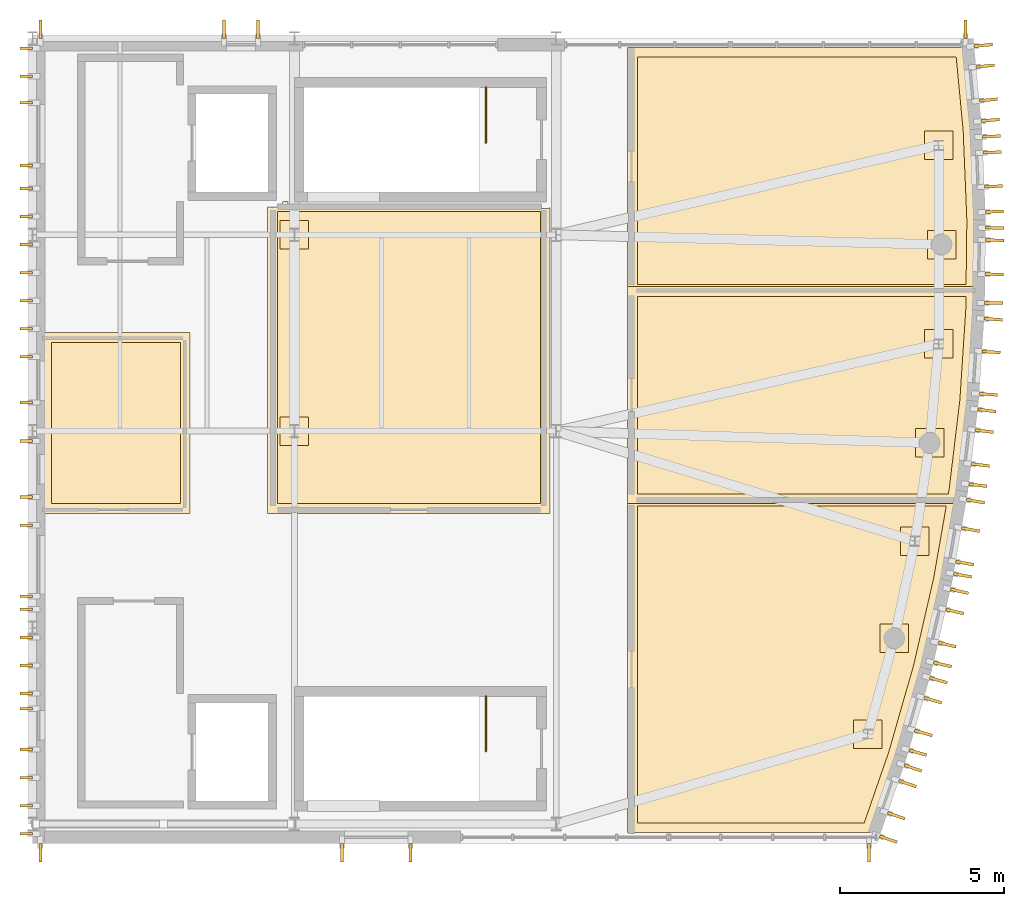
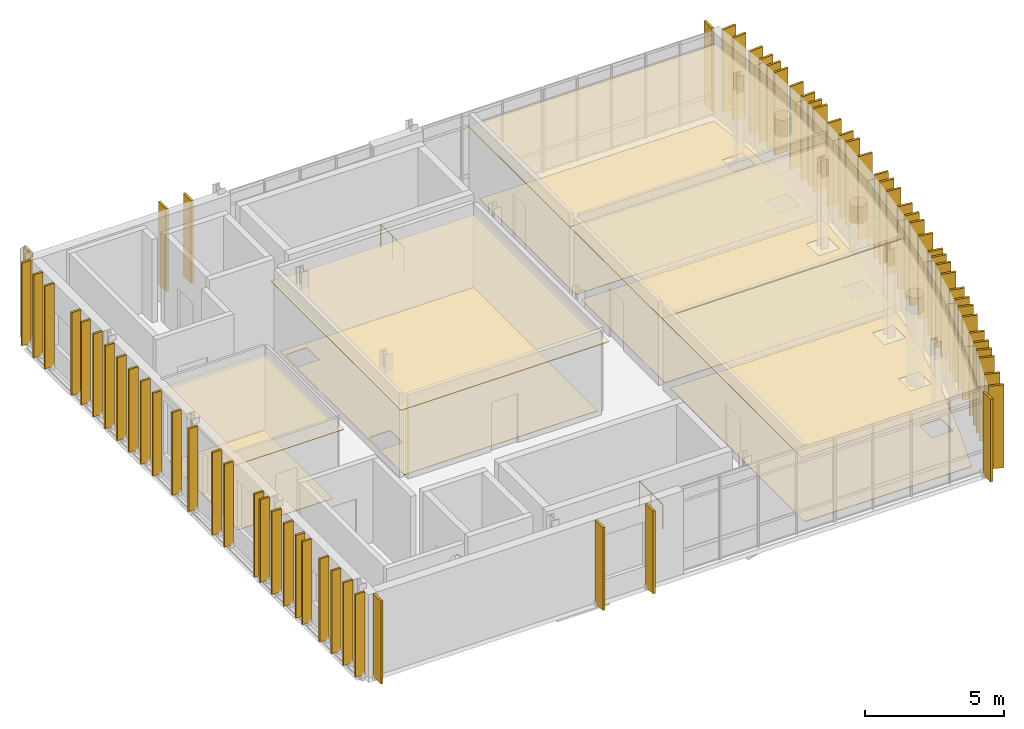
# One storey, part 9 of 9: 78 coverings, 2 railings.
"""IFC4 building model written with IfcOpenShell, lengths in metres."""

from ifc_helpers import new_model, si_unit, direction, frame, origin, origin_2d, place, context, subcontext, project, spatial, polyline, rectangle, circle, outline, extrude, material, layer, layer_set, type_object, element, save


model = new_model("IFC4")

# Units and contexts
model_context = context("Model", 3, precision=1e-05, world=origin(), true_north=direction((0.0, 1.0)))
body_context = subcontext(model_context, "Body", "Model", "MODEL_VIEW")
ifc_project = project(units=[si_unit("LENGTHUNIT", "METRE"), si_unit("AREAUNIT", "SQUARE_METRE"), si_unit("VOLUMEUNIT", "CUBIC_METRE"), si_unit("PLANEANGLEUNIT", "RADIAN"), si_unit("MASSUNIT", "GRAM", prefix="KILO")], contexts=[model_context])

# Site, building, storey
site_placement = place(None, origin())
site = spatial("IfcSite", under=ifc_project, at=site_placement, CompositionType="ELEMENT")
building_placement = place(site_placement, origin())
building = spatial("IfcBuilding", under=site, at=building_placement, Name="Cymarion Research Institute", CompositionType="ELEMENT")
storey_placement = place(building_placement, frame((0.0, 0.0, 42.300048828125)))
storey = spatial("IfcBuildingStorey", under=building, at=storey_placement, Name="L10", CompositionType="ELEMENT", Elevation=42.300048828125)

# Coverings
ifc_material_1 = material(Name="Micro-perforated mineral acoustic ceiling tile", Category="gypsum")
ifc_layer_1 = layer(ifc_material_1, 0.030029296875)
ifc_layer_set_1 = layer_set([ifc_layer_1], Name="Micro-perforated mineral acoustic ceiling tile")
covering_type_1 = type_object("IfcCoveringType", Name="ACOUSTIC MICRO-PERFORATED SUSPENDED CEILING CLG-01", PredefinedType="CEILING", material=ifc_layer_set_1)
covering_1_placement = place(storey_placement, frame((0.0, 0.0, 3.10986328125)))
element("IfcCovering", 1, at=covering_1_placement, inside=storey, type_object=covering_type_1, Name="L10 L10 Computational Biology Write-Up Studio acoustic ceiling", PredefinedType="CEILING", context=body_context, shape_type="SweptSolid", body=[
    extrude(outline(polyline([(143.4150390625, 20.514892578125), (143.4150390625, 14.985107421875), (138.885009765625, 14.985107421875), (138.885009765625, 20.514892578125), (143.4150390625, 20.514892578125)])), origin(), (0.0, 0.0, 1.0), 0.030029296875),
])
covering_2_placement = place(storey_placement, frame((0.0, 0.0, 3.10986328125)))
element("IfcCovering", 2, at=covering_2_placement, inside=storey, type_object=covering_type_1, Name="L10 L10 High-Throughput Screening & Cell Culture Lab acoustic ceiling", PredefinedType="CEILING", context=body_context, shape_type="SweptSolid", body=[
    extrude(outline(polyline([(146.39990234375, 24.514892578125), (146.39990234375, 24.5), (146.40087890625, 24.48046875), (146.40380859375, 24.4609375), (146.40869140625, 24.44189453125), (146.415283203125, 24.423583984375), (146.423583984375, 24.40576171875), (146.43359375, 24.388916015625), (146.4453125, 24.373046875), (146.45849609375, 24.358642578125), (146.47314453125, 24.345458984375), (146.489013671875, 24.333740234375), (146.505615234375, 24.323486328125), (146.5234375, 24.315185546875), (146.5419921875, 24.30859375), (146.56103515625, 24.3037109375), (146.580322265625, 24.301025390625), (146.60009765625, 24.300048828125), (154.300048828125, 24.300048828125), (154.319580078125, 24.301025390625), (154.339111328125, 24.3037109375), (154.358154296875, 24.30859375), (154.37646484375, 24.315185546875), (154.394287109375, 24.323486328125), (154.4111328125, 24.333740234375), (154.4150390625, 24.336669921875), (154.4150390625, 14.985107421875), (145.784912109375, 14.985107421875), (145.784912109375, 24.35009765625), (146.050048828125, 24.35009765625), (146.069580078125, 24.35107421875), (146.089111328125, 24.353759765625), (146.108154296875, 24.358642578125), (146.12646484375, 24.365234375), (146.144287109375, 24.37353515625), (146.1611328125, 24.3837890625), (146.177001953125, 24.3955078125), (146.19140625, 24.40869140625), (146.20458984375, 24.423095703125), (146.21630859375, 24.43896484375), (146.226318359375, 24.455810546875), (146.23486328125, 24.473388671875), (146.241455078125, 24.491943359375), (146.24609375, 24.510986328125), (146.246826171875, 24.514892578125), (146.39990234375, 24.514892578125)])), origin(), (0.0, 0.0, 1.0), 0.030029296875),
])
covering_3_placement = place(storey_placement, frame((0.0, 0.0, 3.10986328125)))
element("IfcCovering", 3, at=covering_3_placement, inside=storey, type_object=covering_type_1, Name="L10 L10 Tower Wet Biochemistry & Proteomics Laboratory acoustic ceiling", PredefinedType="CEILING", context=body_context, shape_type="SweptSolid", body=[
    extrude(outline(polyline([(166.873046875, 15.514892578125), (166.427734375, 12.961181640625), (165.808349609375, 10.266845703125), (165.0458984375, 7.609619140625), (164.224853515625, 5.235107421875), (156.784912109375, 5.235107421875), (156.784912109375, 15.514892578125), (166.873046875, 15.514892578125)])), origin(), (0.0, 0.0, 1.0), 0.030029296875),
])
covering_4_placement = place(storey_placement, frame((0.0, 0.0, 3.10986328125)))
element("IfcCovering", 4, at=covering_4_placement, inside=storey, type_object=covering_type_1, Name="L10 L10 Confocal Microscopy & Genomics Laboratory acoustic ceiling", PredefinedType="CEILING", context=body_context, shape_type="SweptSolid", body=[
    extrude(outline(polyline([(167.421142578125, 21.9150390625), (167.412109375, 21.18798828125), (167.23095703125, 18.429443359375), (166.902587890625, 15.6845703125), (166.8330078125, 15.284912109375), (156.784912109375, 15.284912109375), (156.784912109375, 21.9150390625), (167.421142578125, 21.9150390625)])), origin(), (0.0, 0.0, 1.0), 0.030029296875),
])
covering_5_placement = place(storey_placement, frame((0.0, 0.0, 3.10986328125)))
element("IfcCovering", 5, at=covering_5_placement, inside=storey, type_object=covering_type_1, Name="L10 L10 Tower Staff Restrooms and Accessible Washroom acoustic ceiling", PredefinedType="CEILING", context=body_context, shape_type="SweptSolid", body=[
    extrude(outline(polyline([(167.44580078125, 23.952392578125), (167.418212890625, 21.68505859375), (156.784912109375, 21.68505859375), (156.784912109375, 29.22509765625), (167.093505859375, 29.22509765625), (167.331787109375, 26.714599609375), (167.44580078125, 23.952392578125)])), origin(), (0.0, 0.0, 1.0), 0.030029296875),
])
ifc_material_2 = material(Name="Precast concrete C45/55 architectural white", Category="concrete")
ifc_layer_2 = layer(ifc_material_2, 0.090087890625)
ifc_layer_set_2 = layer_set([ifc_layer_2], Name="Precast concrete C45/55 architectural white")
covering_type_2 = type_object("IfcCoveringType", Name="ARCHITECTURAL WHITE PRECAST CONCRETE VERTICAL FIN FIN1 560MM", PredefinedType="CLADDING", material=ifc_layer_set_2)
for number, where, z_axis, x_axis, name in (
    (6, (138.840087890625, 4.617919921875, 0.009765625), (0.0, 0.0, 1.0), (0.0, -1.0, 0.0), "L10 V1 white precast vertical fin FIN1 #862"),
    (7, (148.055908203125, 4.617919921875, 0.009765625), (0.0, 0.0, 1.0), (0.0, -1.0, 0.0), "L10 V1 white precast vertical fin FIN1 #863"),
    (8, (150.14599609375, 4.617919921875, 0.009765625), (0.0, 0.0, 1.0), (0.0, -1.0, 0.0), "L10 V1 white precast vertical fin FIN1 #864"),
    (9, (164.159912109375, 4.617919921875, 0.009765625), (0.0, 0.0, 1.0), (0.0, -1.0, 0.0), "L10 V1 white precast vertical fin FIN1 #865"),
    (10, (164.744873046875, 5.03466796875, 0.009765625), (0.0, 0.0, 1.0), (0.945120113509, -0.326723080054, 0.0), "L10 V1 white precast vertical fin FIN1 #866"),
    (11, (164.991943359375, 5.748779296875, 0.009765625), (0.0, 0.0, 1.0), (0.945120113509, -0.326723080054, 0.0), "L10 V1 white precast vertical fin FIN1 #867"),
    (12, (165.331787109375, 6.731689453125, 0.009765625), (0.0, 0.0, 1.0), (0.945120113509, -0.326723080054, 0.0), "L10 V1 white precast vertical fin FIN1 #868"),
    (13, (165.496337890625, 7.20751953125, 0.009765625), (0.0, 0.0, 1.0), (0.945120113509, -0.326723080054, 0.0), "L10 V1 white precast vertical fin FIN1 #869"),
    (14, (165.6455078125, 7.679443359375, 0.009765625), (0.0, 0.0, 1.0), (0.961213573504, -0.275805123434, 0.0), "L10 V1 white precast vertical fin FIN1 #870"),
    (15, (165.817626953125, 8.279296875, 0.009765625), (0.0, 0.0, 1.0), (0.961213573504, -0.275805123434, 0.0), "L10 V1 white precast vertical fin FIN1 #871"),
    (16, (166.1044921875, 9.279052734375, 0.009765625), (0.0, 0.0, 1.0), (0.961213573504, -0.275805123434, 0.0), "L10 V1 white precast vertical fin FIN1 #872"),
    (17, (166.27978515625, 9.8896484375, 0.009765625), (0.0, 0.0, 1.0), (0.961213573504, -0.275805123434, 0.0), "L10 V1 white precast vertical fin FIN1 #873"),
    (18, (166.4033203125, 10.368896484375, 0.009765625), (0.0, 0.0, 1.0), (0.974566000575, -0.224100670509, 0.0), "L10 V1 white precast vertical fin FIN1 #874"),
    (19, (166.543212890625, 10.976806640625, 0.009765625), (0.0, 0.0, 1.0), (0.974566000575, -0.224100670509, 0.0), "L10 V1 white precast vertical fin FIN1 #875"),
    (20, (166.776123046875, 11.990478515625, 0.009765625), (0.0, 0.0, 1.0), (0.974566000575, -0.224100670509, 0.0), "L10 V1 white precast vertical fin FIN1 #876"),
    (21, (166.918701171875, 12.609619140625, 0.009765625), (0.0, 0.0, 1.0), (0.974566000575, -0.224100670509, 0.0), "L10 V1 white precast vertical fin FIN1 #877"),
    (22, (167.0166015625, 13.094482421875, 0.009765625), (0.0, 0.0, 1.0), (0.985139318439, -0.171757163649, 0.0), "L10 V1 white precast vertical fin FIN1 #878"),
    (23, (167.08154296875, 13.468017578125, 0.009765625), (0.0, 0.0, 1.0), (0.985139318439, -0.171757163649, 0.0), "L10 V1 white precast vertical fin FIN1 #879"),
    (24, (167.26025390625, 14.492431640625, 0.009765625), (0.0, 0.0, 1.0), (0.985139318439, -0.171757163649, 0.0), "L10 V1 white precast vertical fin FIN1 #880"),
    (25, (167.411376953125, 15.35986328125, 0.009765625), (0.0, 0.0, 1.0), (0.985139318439, -0.171757163649, 0.0), "L10 V1 white precast vertical fin FIN1 #881"),
    (26, (167.483154296875, 15.849365234375, 0.009765625), (0.0, 0.0, 1.0), (0.992924116831, -0.118750571435, 0.0), "L10 V1 white precast vertical fin FIN1 #882"),
    (27, (167.557373046875, 16.468994140625, 0.009765625), (0.0, 0.0, 1.0), (0.992924116831, -0.118750571435, 0.0), "L10 V1 white precast vertical fin FIN1 #883"),
    (28, (167.680908203125, 17.501708984375, 0.009765625), (0.0, 0.0, 1.0), (0.992924116831, -0.118750571435, 0.0), "L10 V1 white precast vertical fin FIN1 #884"),
    (29, (167.75634765625, 18.13232421875, 0.009765625), (0.0, 0.0, 1.0), (0.992924116831, -0.118750571435, 0.0), "L10 V1 white precast vertical fin FIN1 #885"),
    (30, (167.802001953125, 18.625, 0.009765625), (0.0, 0.0, 1.0), (0.997847493041, -0.06557728747, 0.0), "L10 V1 white precast vertical fin FIN1 #886"),
    (31, (167.88720703125, 19.919189453125, 0.009765625), (0.0, 0.0, 1.0), (0.997847493041, -0.06557728747, 0.0), "L10 V1 white precast vertical fin FIN1 #887"),
    (32, (167.952880859375, 20.91943359375, 0.009765625), (0.0, 0.0, 1.0), (0.997847493041, -0.06557728747, 0.0), "L10 V1 white precast vertical fin FIN1 #888"),
    (33, (167.971923828125, 21.413818359375, 0.009765625), (0.0, 0.0, 1.0), (0.99992536966, -0.012217000835, 0.0), "L10 V1 white precast vertical fin FIN1 #889"),
    (34, (167.982666015625, 22.2939453125, 0.009765625), (0.0, 0.0, 1.0), (0.99992536966, -0.012217000835, 0.0), "L10 V1 white precast vertical fin FIN1 #890"),
    (35, (167.995361328125, 23.333740234375, 0.009765625), (0.0, 0.0, 1.0), (0.99992536966, -0.012217000835, 0.0), "L10 V1 white precast vertical fin FIN1 #891"),
    (36, (168.0, 23.712890625, 0.009765625), (0.0, 0.0, 1.0), (0.99992536966, -0.012217000835, 0.0), "L10 V1 white precast vertical fin FIN1 #892"),
    (37, (167.992919921875, 24.207763671875, 0.009765625), (0.0, 0.0, 1.0), (0.999144619181, 0.041352508522, 0.0), "L10 V1 white precast vertical fin FIN1 #893"),
    (38, (167.9609375, 24.978271484375, 0.009765625), (0.0, 0.0, 1.0), (0.999144619181, 0.041352508522, 0.0), "L10 V1 white precast vertical fin FIN1 #894"),
    (39, (167.918212890625, 26.017333984375, 0.009765625), (0.0, 0.0, 1.0), (0.999144619181, 0.041352508522, 0.0), "L10 V1 white precast vertical fin FIN1 #895"),
    (40, (167.89794921875, 26.505126953125, 0.009765625), (0.0, 0.0, 1.0), (0.999144619181, 0.041352508522, 0.0), "L10 V1 white precast vertical fin FIN1 #896"),
    (41, (167.8642578125, 26.998779296875, 0.009765625), (0.0, 0.0, 1.0), (0.995512553138, 0.09462957542, 0.0), "L10 V1 white precast vertical fin FIN1 #897"),
    (42, (167.805419921875, 27.6201171875, 0.009765625), (0.0, 0.0, 1.0), (0.995512553138, 0.09462957542, 0.0), "L10 V1 white precast vertical fin FIN1 #898"),
    (43, (167.70703125, 28.6552734375, 0.009765625), (0.0, 0.0, 1.0), (0.995512553138, 0.09462957542, 0.0), "L10 V1 white precast vertical fin FIN1 #899"),
    (44, (167.64697265625, 29.287841796875, 0.009765625), (0.0, 0.0, 1.0), (0.995512553138, 0.09462957542, 0.0), "L10 V1 white precast vertical fin FIN1 #900"),
    (45, (167.103515625, 29.781982421875, 0.009765625), (0.0, 0.0, 1.0), (0.0, 1.0, 0.0), "L10 V1 white precast vertical fin FIN1 #901"),
    (46, (145.489013671875, 29.781982421875, 0.009765625), (0.0, 0.0, 1.0), (0.0, 1.0, 0.0), "L10 V1 white precast vertical fin FIN1 #902"),
    (47, (144.448974609375, 29.781982421875, 0.009765625), (0.0, 0.0, 1.0), (0.0, 1.0, 0.0), "L10 V1 white precast vertical fin FIN1 #903"),
    (48, (138.840087890625, 29.781982421875, 0.009765625), (0.0, 0.0, 1.0), (0.0, 1.0, 0.0), "L10 V1 white precast vertical fin FIN1 #904"),
):
    element("IfcCovering", number, at=place(storey_placement, frame(where, z_axis=z_axis, x_axis=x_axis)), inside=storey, type_object=covering_type_2, Name=name, PredefinedType="CLADDING", context=body_context, shape_type="SweptSolid", body=[
        extrude(rectangle(XDim=0.56005859375, YDim=0.090087890625, at=origin_2d()), origin(), (0.0, 0.0, 1.0), 3.639892578125),
    ])
ifc_layer_3 = layer(ifc_material_2, 0.0849609375)
ifc_layer_set_3 = layer_set([ifc_layer_3], Name="Precast concrete C45/55 architectural white")
covering_type_3 = type_object("IfcCoveringType", Name="ARCHITECTURAL WHITE PRECAST CONCRETE VERTICAL FIN FIN3 380MM", PredefinedType="CLADDING", material=ifc_layer_set_3)
for number, where, z_axis, x_axis, name in (
    (49, (138.407958984375, 29.199951171875, 0.009765625), (0.0, 0.0, 1.0), (-1.0, 0.0, 0.0), "L10 V1 white precast vertical fin FIN3 #905"),
    (50, (138.407958984375, 28.343017578125, 0.009765625), (0.0, 0.0, 1.0), (-1.0, 0.0, 0.0), "L10 V1 white precast vertical fin FIN3 #906"),
    (51, (138.407958984375, 27.533935546875, 0.009765625), (0.0, 0.0, 1.0), (-1.0, 0.0, 0.0), "L10 V1 white precast vertical fin FIN3 #907"),
    (52, (138.407958984375, 25.614013671875, 0.009765625), (0.0, 0.0, 1.0), (-1.0, 0.0, 0.0), "L10 V1 white precast vertical fin FIN3 #908"),
    (53, (138.407958984375, 24.914306640625, 0.009765625), (0.0, 0.0, 1.0), (-1.0, 0.0, 0.0), "L10 V1 white precast vertical fin FIN3 #909"),
    (54, (138.407958984375, 24.05712890625, 0.009765625), (0.0, 0.0, 1.0), (-1.0, 0.0, 0.0), "L10 V1 white precast vertical fin FIN3 #910"),
    (55, (138.407958984375, 23.199951171875, 0.009765625), (0.0, 0.0, 1.0), (-1.0, 0.0, 0.0), "L10 V1 white precast vertical fin FIN3 #911"),
    (56, (138.407958984375, 22.343017578125, 0.009765625), (0.0, 0.0, 1.0), (-1.0, 0.0, 0.0), "L10 V1 white precast vertical fin FIN3 #912"),
    (57, (138.407958984375, 21.485595703125, 0.009765625), (0.0, 0.0, 1.0), (-1.0, 0.0, 0.0), "L10 V1 white precast vertical fin FIN3 #913"),
    (58, (138.407958984375, 20.628662109375, 0.009765625), (0.0, 0.0, 1.0), (-1.0, 0.0, 0.0), "L10 V1 white precast vertical fin FIN3 #914"),
    (59, (138.407958984375, 19.771484375, 0.009765625), (0.0, 0.0, 1.0), (-1.0, 0.0, 0.0), "L10 V1 white precast vertical fin FIN3 #915"),
    (60, (138.407958984375, 18.3798828125, 0.009765625), (0.0, 0.0, 1.0), (-1.0, 0.0, 0.0), "L10 V1 white precast vertical fin FIN3 #916"),
    (61, (138.407958984375, 17.199951171875, 0.009765625), (0.0, 0.0, 1.0), (-1.0, 0.0, 0.0), "L10 V1 white precast vertical fin FIN3 #917"),
    (62, (138.407958984375, 15.485595703125, 0.009765625), (0.0, 0.0, 1.0), (-1.0, 0.0, 0.0), "L10 V1 white precast vertical fin FIN3 #918"),
    (63, (138.407958984375, 14.628662109375, 0.009765625), (0.0, 0.0, 1.0), (-1.0, 0.0, 0.0), "L10 V1 white precast vertical fin FIN3 #919"),
    (64, (138.407958984375, 12.4599609375, 0.009765625), (0.0, 0.0, 1.0), (-1.0, 0.0, 0.0), "L10 V1 white precast vertical fin FIN3 #920"),
    (65, (138.407958984375, 12.05712890625, 0.009765625), (0.0, 0.0, 1.0), (-1.0, 0.0, 0.0), "L10 V1 white precast vertical fin FIN3 #921"),
    (66, (138.407958984375, 11.199951171875, 0.009765625), (0.0, 0.0, 1.0), (-1.0, 0.0, 0.0), "L10 V1 white precast vertical fin FIN3 #922"),
    (67, (138.407958984375, 10.343017578125, 0.009765625), (0.0, 0.0, 1.0), (-1.0, 0.0, 0.0), "L10 V1 white precast vertical fin FIN3 #923"),
    (68, (138.407958984375, 9.485595703125, 0.009765625), (0.0, 0.0, 1.0), (-1.0, 0.0, 0.0), "L10 V1 white precast vertical fin FIN3 #924"),
    (69, (138.407958984375, 9.02001953125, 0.009765625), (0.0, 0.0, 1.0), (-1.0, 0.0, 0.0), "L10 V1 white precast vertical fin FIN3 #925"),
    (70, (138.407958984375, 7.771484375, 0.009765625), (0.0, 0.0, 1.0), (-1.0, 0.0, 0.0), "L10 V1 white precast vertical fin FIN3 #926"),
    (71, (138.407958984375, 6.914306640625, 0.009765625), (0.0, 0.0, 1.0), (-1.0, 0.0, 0.0), "L10 V1 white precast vertical fin FIN3 #927"),
    (72, (138.407958984375, 6.05712890625, 0.009765625), (0.0, 0.0, 1.0), (-1.0, 0.0, 0.0), "L10 V1 white precast vertical fin FIN3 #928"),
    (73, (138.407958984375, 5.199951171875, 0.009765625), (0.0, 0.0, 1.0), (-1.0, 0.0, 0.0), "L10 V1 white precast vertical fin FIN3 #929"),
):
    element("IfcCovering", number, at=place(storey_placement, frame(where, z_axis=z_axis, x_axis=x_axis)), inside=storey, type_object=covering_type_3, Name=name, PredefinedType="CLADDING", context=body_context, shape_type="SweptSolid", body=[
        extrude(rectangle(XDim=0.3798828125, YDim=0.0849609375, at=origin_2d()), origin(), (0.0, 0.0, 1.0), 3.639892578125),
    ])

# Railings
ifc_material_3 = material(Name="Steel S355", Category="steel")
railing_type = type_object("IfcRailingType", Name="PAINTED STEEL STAIR GUARDRAIL GR1 1100MM", PredefinedType="GUARDRAIL", material=ifc_material_3)
for number, where, name in (
    (74, (152.449951171875, 9.39990234375, 0.0), "L10 ST1 top well guard 1"),
    (75, (152.449951171875, 28.0, 0.0), "L10 ST2 top well guard 1"),
):
    element("IfcRailing", number, at=place(storey_placement, frame(where)), inside=storey, type_object=railing_type, Name=name, PredefinedType="GUARDRAIL", context=body_context, shape_type="SweptSolid", body=[
        extrude(circle(Radius=0.02392578125, at=origin_2d()), frame((0.0, 0.0, 1.076171875), z_axis=(0.0, -1.0, 0.0), x_axis=(1.0, 0.0, 0.0)), (0.0, 0.0, 1.0), 1.679931640625),
        extrude(circle(Radius=0.02099609375, at=origin_2d()), origin(), (0.0, 0.0, 1.0), 1.052001953125),
        extrude(circle(Radius=0.02099609375, at=origin_2d()), frame((0.0, -0.83984375, 0.0)), (0.0, 0.0, 1.0), 1.052001953125),
        extrude(circle(Radius=0.02099609375, at=origin_2d()), frame((0.0, -1.679931640625, 0.0)), (0.0, 0.0, 1.0), 1.052001953125),
    ])

# Coverings
ifc_material_4 = material(Name="Seamless dissipative epoxy resin flooring", Category="resin")
ifc_layer_4 = layer(ifc_material_4, 0.02001953125)
ifc_layer_set_4 = layer_set([ifc_layer_4], Name="Seamless dissipative epoxy resin flooring")
covering_type_4 = type_object("IfcCoveringType", Name="SEAMLESS ESD EPOXY LABORATORY FLOORING FLR-01", PredefinedType="FLOORING", material=ifc_layer_set_4)
covering_6_placement = place(storey_placement, origin())
element("IfcCovering", 76, at=covering_6_placement, inside=storey, type_object=covering_type_4, Name="L10 L10 Computational Biology Write-Up Studio ESD epoxy flooring", PredefinedType="FLOORING", context=body_context, shape_type="SweptSolid", body=[
    extrude(outline(polyline([(139.18505859375, 20.215087890625), (143.114990234375, 20.215087890625), (143.114990234375, 15.284912109375), (139.18505859375, 15.284912109375), (139.18505859375, 20.215087890625)])), origin(), (0.0, 0.0, 1.0), 0.02001953125),
])
covering_7_placement = place(storey_placement, origin())
element("IfcCovering", 77, at=covering_7_placement, inside=storey, type_object=covering_type_4, Name="L10 L10 High-Throughput Screening & Cell Culture Lab ESD epoxy flooring", PredefinedType="FLOORING", context=body_context, shape_type="SweptSolid", body=[
    extrude(outline(polyline([(146.0849609375, 24.215087890625), (154.114990234375, 24.215087890625), (154.114990234375, 15.284912109375), (146.0849609375, 15.284912109375), (146.0849609375, 24.215087890625)]), holes=[polyline([(147.034912109375, 17.06494140625), (147.034912109375, 17.93505859375), (146.1650390625, 17.93505859375), (146.1650390625, 17.06494140625), (147.034912109375, 17.06494140625)]), polyline([(147.034912109375, 23.06494140625), (147.034912109375, 23.93505859375), (146.1650390625, 23.93505859375), (146.1650390625, 23.06494140625), (147.034912109375, 23.06494140625)])]), origin(), (0.0, 0.0, 1.0), 0.02001953125),
])
covering_8_placement = place(storey_placement, origin())
element("IfcCovering", 78, at=covering_8_placement, inside=storey, type_object=covering_type_4, Name="L10 L10 Tower Wet Biochemistry & Proteomics Laboratory ESD epoxy flooring", PredefinedType="FLOORING", context=body_context, shape_type="SweptSolid", body=[
    extrude(outline(polyline([(157.0849609375, 15.215087890625), (166.51611328125, 15.215087890625), (166.1337890625, 13.0205078125), (165.517822265625, 10.341796875), (164.759765625, 7.699951171875), (164.01123046875, 5.534912109375), (157.0849609375, 5.534912109375), (157.0849609375, 15.215087890625)]), holes=[polyline([(165.994873046875, 13.70654296875), (165.994873046875, 14.576416015625), (165.125, 14.576416015625), (165.125, 13.70654296875), (165.994873046875, 13.70654296875)]), polyline([(165.36279296875, 10.73779296875), (165.36279296875, 11.607666015625), (164.492919921875, 11.607666015625), (164.492919921875, 10.73779296875), (165.36279296875, 10.73779296875)]), polyline([(164.553955078125, 7.81201171875), (164.553955078125, 8.681884765625), (163.68408203125, 8.681884765625), (163.68408203125, 7.81201171875), (164.553955078125, 7.81201171875)])]), origin(), (0.0, 0.0, 1.0), 0.02001953125),
])
covering_9_placement = place(storey_placement, origin())
element("IfcCovering", 79, at=covering_9_placement, inside=storey, type_object=covering_type_4, Name="L10 L10 Confocal Microscopy & Genomics Laboratory ESD epoxy flooring", PredefinedType="FLOORING", context=body_context, shape_type="SweptSolid", body=[
    extrude(outline(polyline([(157.0849609375, 21.614990234375), (167.117431640625, 21.614990234375), (167.1123046875, 21.19970703125), (166.93212890625, 18.45703125), (166.605712890625, 15.728271484375), (166.58056640625, 15.5849609375), (157.0849609375, 15.5849609375), (157.0849609375, 21.614990234375)]), holes=[polyline([(166.720458984375, 19.73095703125), (166.720458984375, 20.60107421875), (165.8505859375, 20.60107421875), (165.8505859375, 19.73095703125), (166.720458984375, 19.73095703125)]), polyline([(166.447998046875, 16.707763671875), (166.447998046875, 17.577880859375), (165.577880859375, 17.577880859375), (165.577880859375, 16.707763671875), (166.447998046875, 16.707763671875)])]), origin(), (0.0, 0.0, 1.0), 0.02001953125),
])
covering_10_placement = place(storey_placement, origin())
element("IfcCovering", 80, at=covering_10_placement, inside=storey, type_object=covering_type_4, Name="L10 L10 Tower Staff Restrooms and Accessible Washroom ESD epoxy flooring", PredefinedType="FLOORING", context=body_context, shape_type="SweptSolid", body=[
    extrude(outline(polyline([(167.032470703125, 26.694091796875), (167.14599609375, 23.947998046875), (167.121826171875, 21.985107421875), (157.0849609375, 21.985107421875), (157.0849609375, 28.925048828125), (166.820556640625, 28.925048828125), (167.032470703125, 26.694091796875)]), holes=[polyline([(166.8115234375, 22.764892578125), (166.8115234375, 23.635009765625), (165.94140625, 23.635009765625), (165.94140625, 22.764892578125), (166.8115234375, 22.764892578125)]), polyline([(166.720458984375, 25.799072265625), (166.720458984375, 26.6689453125), (165.8505859375, 26.6689453125), (165.8505859375, 25.799072265625), (166.720458984375, 25.799072265625)])]), origin(), (0.0, 0.0, 1.0), 0.02001953125),
])

save(model, "model.ifc")
